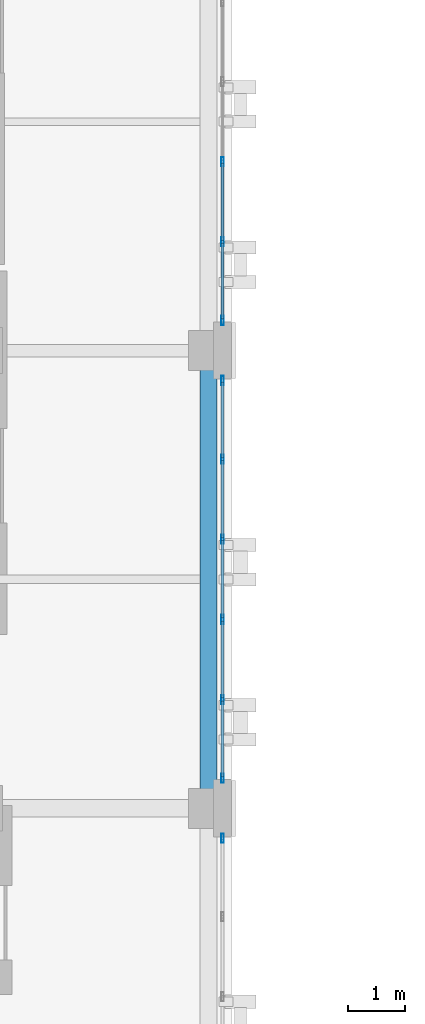
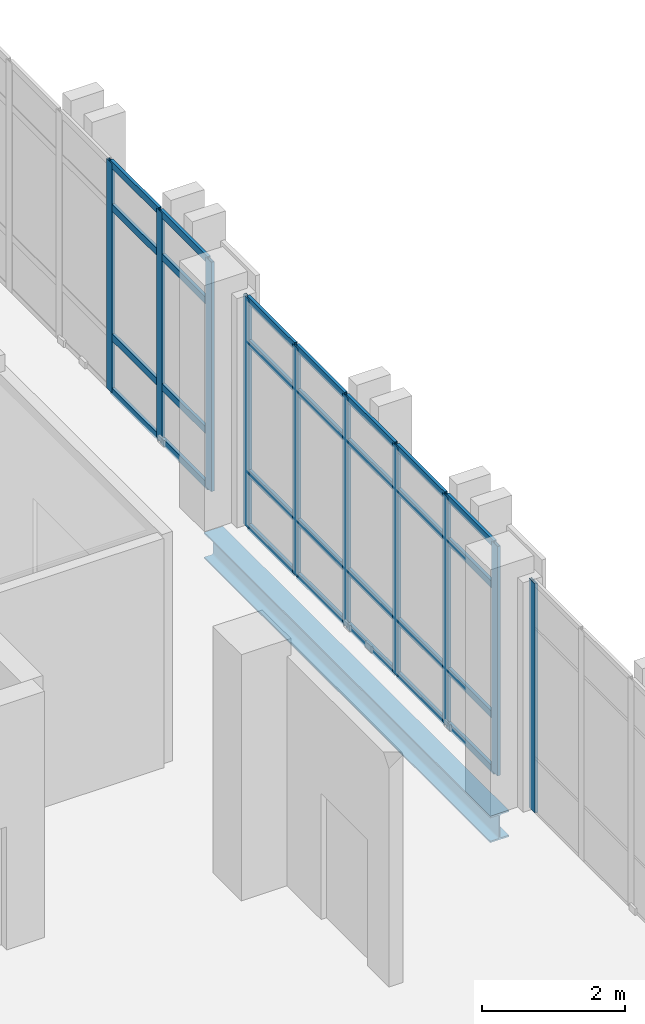
# One storey, part 31 of 193: 38 members, 1 beam, 3 elements without a shape of their own.
"""IFC4 building model written with IfcOpenShell, lengths in metres."""

from ifc_helpers import new_model, si_unit, direction, frame, origin, origin_2d, place, context, subcontext, project, spatial, hollow_rectangle, i_section, extrude, material, layer, layer_set, material_profile, profile_set, type_object, element, aggregate, save


model = new_model("IFC4")

# Units and contexts
model_context = context("Model", 3, precision=1e-05, world=origin(), true_north=direction((0.0, 1.0)))
body_context = subcontext(model_context, "Body", "Model", "MODEL_VIEW")
ifc_project = project(units=[si_unit("LENGTHUNIT", "METRE"), si_unit("AREAUNIT", "SQUARE_METRE"), si_unit("VOLUMEUNIT", "CUBIC_METRE"), si_unit("PLANEANGLEUNIT", "RADIAN"), si_unit("MASSUNIT", "GRAM", prefix="KILO")], contexts=[model_context])

# Site, building, storey
site_placement = place(None, origin())
site = spatial("IfcSite", under=ifc_project, at=site_placement, CompositionType="ELEMENT")
building_placement = place(site_placement, origin())
building = spatial("IfcBuilding", under=site, at=building_placement, Name="Qalavern Law Courts", CompositionType="ELEMENT")
storey_placement = place(building_placement, frame((0.0, 0.0, 10.199951171875)))
storey = spatial("IfcBuildingStorey", under=building, at=storey_placement, Name="L02", CompositionType="ELEMENT", Elevation=10.199951171875)

# Curtain wall, member
ifc_material_1 = material(Name="Anodised aluminium and insulated glazing", Category="aluminium")
ifc_layer = layer(ifc_material_1, 0.172119140625)
ifc_layer_set = layer_set([ifc_layer], Name="Anodised aluminium and insulated glazing")
curtain_wall_type = type_object("IfcCurtainWallType", Name="ENV-CW-COURT", PredefinedType="USERDEFINED", material=ifc_layer_set)
curtain_wall_1_placement = place(storey_placement, origin())
curtain_wall_1 = element("IfcCurtainWall", 1, at=curtain_wall_1_placement, inside=storey, type_object=curtain_wall_type, Name="V3 unitised curtain wall L02 east 1", ObjectType="UNITISED CURTAIN WALL", PredefinedType="USERDEFINED")
ifc_material_2 = material(Name="Anodised aluminium", Category="aluminium")
ifc_material_profile_1 = material_profile(ifc_material_2, hollow_rectangle(XDim=0.048095703125, YDim=0.159912109375, WallThickness=0.00390625, at=origin_2d()), Name="ALU MULLION 48x160")
ifc_profile_set_1 = profile_set([ifc_material_profile_1], Name="Anodised aluminium")
member_type_1 = type_object("IfcMemberType", Name="ENV-CWM-48x160", PredefinedType="MULLION", material=ifc_profile_set_1)
member_1_placement = place(storey_placement, frame((18.64501953125, 48.8759765625, 0.0), z_axis=(0.0, 0.0, 1.0), x_axis=(-1.0, 0.0, 0.0)))
member_1 = element("IfcMember", 2, at=member_1_placement, type_object=member_type_1, Name="CW-03 mullion 6", PredefinedType="MULLION", context=body_context, shape_type="SweptSolid", body=[
    extrude(hollow_rectangle(XDim=0.048095703125, YDim=0.159912109375, WallThickness=0.00390625, at=origin_2d()), origin(), (0.0, 0.0, 1.0), 3.9150390625),
])
aggregate(curtain_wall_1, [member_1])

# Curtain wall, members
curtain_wall_2_placement = place(storey_placement, origin())
curtain_wall_2 = element("IfcCurtainWall", 3, at=curtain_wall_2_placement, inside=storey, type_object=curtain_wall_type, Name="V3 unitised curtain wall L02 east 2", ObjectType="UNITISED CURTAIN WALL", PredefinedType="USERDEFINED")
member_2_placement = place(storey_placement, frame((18.64501953125, 49.924072265625, 0.0), z_axis=(0.0, 0.0, 1.0), x_axis=(-1.0, 0.0, 0.0)))
member_2 = element("IfcMember", 4, at=member_2_placement, type_object=member_type_1, Name="CW-03 mullion 1", PredefinedType="MULLION", context=body_context, shape_type="SweptSolid", body=[
    extrude(hollow_rectangle(XDim=0.048095703125, YDim=0.159912109375, WallThickness=0.00390625, at=origin_2d()), origin(), (0.0, 0.0, 1.0), 3.9150390625),
])
member_3_placement = place(storey_placement, frame((18.64501953125, 51.300048828125, 0.0), z_axis=(0.0, 0.0, 1.0), x_axis=(-1.0, 0.0, 0.0)))
member_3 = element("IfcMember", 5, at=member_3_placement, type_object=member_type_1, Name="CW-03 mullion 2", PredefinedType="MULLION", context=body_context, shape_type="SweptSolid", body=[
    extrude(hollow_rectangle(XDim=0.048095703125, YDim=0.159912109375, WallThickness=0.00390625, at=origin_2d()), origin(), (0.0, 0.0, 1.0), 3.9150390625),
])
member_4_placement = place(storey_placement, frame((18.64501953125, 52.699951171875, 0.0), z_axis=(0.0, 0.0, 1.0), x_axis=(-1.0, 0.0, 0.0)))
member_4 = element("IfcMember", 6, at=member_4_placement, type_object=member_type_1, Name="CW-03 mullion 3", PredefinedType="MULLION", context=body_context, shape_type="SweptSolid", body=[
    extrude(hollow_rectangle(XDim=0.048095703125, YDim=0.159912109375, WallThickness=0.00390625, at=origin_2d()), origin(), (0.0, 0.0, 1.0), 3.9150390625),
])
member_5_placement = place(storey_placement, frame((18.64501953125, 54.10009765625, 0.0), z_axis=(0.0, 0.0, 1.0), x_axis=(-1.0, 0.0, 0.0)))
member_5 = element("IfcMember", 7, at=member_5_placement, type_object=member_type_1, Name="CW-03 mullion 4", PredefinedType="MULLION", context=body_context, shape_type="SweptSolid", body=[
    extrude(hollow_rectangle(XDim=0.048095703125, YDim=0.159912109375, WallThickness=0.00390625, at=origin_2d()), origin(), (0.0, 0.0, 1.0), 3.9150390625),
])
member_6_placement = place(storey_placement, frame((18.64501953125, 55.5, 0.0), z_axis=(0.0, 0.0, 1.0), x_axis=(-1.0, 0.0, 0.0)))
member_6 = element("IfcMember", 8, at=member_6_placement, type_object=member_type_1, Name="CW-03 mullion 5", PredefinedType="MULLION", context=body_context, shape_type="SweptSolid", body=[
    extrude(hollow_rectangle(XDim=0.048095703125, YDim=0.159912109375, WallThickness=0.00390625, at=origin_2d()), origin(), (0.0, 0.0, 1.0), 3.9150390625),
])
member_7_placement = place(storey_placement, frame((18.64501953125, 56.8759765625, 0.0), z_axis=(0.0, 0.0, 1.0), x_axis=(-1.0, 0.0, 0.0)))
member_7 = element("IfcMember", 9, at=member_7_placement, type_object=member_type_1, Name="CW-03 mullion 6", PredefinedType="MULLION", context=body_context, shape_type="SweptSolid", body=[
    extrude(hollow_rectangle(XDim=0.048095703125, YDim=0.159912109375, WallThickness=0.00390625, at=origin_2d()), origin(), (0.0, 0.0, 1.0), 3.9150390625),
])

curtain_wall_3_placement = place(storey_placement, origin())
curtain_wall_3 = element("IfcCurtainWall", 10, at=curtain_wall_3_placement, inside=storey, type_object=curtain_wall_type, Name="V3 unitised curtain wall L02 east 3", ObjectType="UNITISED CURTAIN WALL", PredefinedType="USERDEFINED")
member_8_placement = place(storey_placement, frame((18.64501953125, 57.924072265625, 0.0), z_axis=(0.0, 0.0, 1.0), x_axis=(-1.0, 0.0, 0.0)))
member_8 = element("IfcMember", 11, at=member_8_placement, type_object=member_type_1, Name="CW-03 mullion 1", PredefinedType="MULLION", context=body_context, shape_type="SweptSolid", body=[
    extrude(hollow_rectangle(XDim=0.048095703125, YDim=0.159912109375, WallThickness=0.00390625, at=origin_2d()), origin(), (0.0, 0.0, 1.0), 3.9150390625),
])
member_9_placement = place(storey_placement, frame((18.64501953125, 59.300048828125, 0.0), z_axis=(0.0, 0.0, 1.0), x_axis=(-1.0, 0.0, 0.0)))
member_9 = element("IfcMember", 12, at=member_9_placement, type_object=member_type_1, Name="CW-03 mullion 2", PredefinedType="MULLION", context=body_context, shape_type="SweptSolid", body=[
    extrude(hollow_rectangle(XDim=0.048095703125, YDim=0.159912109375, WallThickness=0.00390625, at=origin_2d()), origin(), (0.0, 0.0, 1.0), 3.9150390625),
])
member_10_placement = place(storey_placement, frame((18.64501953125, 60.699951171875, 0.0), z_axis=(0.0, 0.0, 1.0), x_axis=(-1.0, 0.0, 0.0)))
member_10 = element("IfcMember", 13, at=member_10_placement, type_object=member_type_1, Name="CW-03 mullion 3", PredefinedType="MULLION", context=body_context, shape_type="SweptSolid", body=[
    extrude(hollow_rectangle(XDim=0.048095703125, YDim=0.159912109375, WallThickness=0.00390625, at=origin_2d()), origin(), (0.0, 0.0, 1.0), 3.9150390625),
])

# Member
ifc_material_profile_2 = material_profile(ifc_material_2, hollow_rectangle(XDim=0.048095703125, YDim=0.1201171875, WallThickness=0.00390625, at=origin_2d()), Name="ALU TRANSOM 48x120")
ifc_profile_set_2 = profile_set([ifc_material_profile_2], Name="Anodised aluminium")
member_type_2 = type_object("IfcMemberType", Name="ENV-CWT-48x120", PredefinedType="USERDEFINED", material=ifc_profile_set_2)
member_11_placement = place(storey_placement, frame((18.64501953125, 49.947998046875, 0.024169921875), z_axis=(0.0, 1.0, 0.0), x_axis=(-1.0, 0.0, 0.0)))
member_11 = element("IfcMember", 14, at=member_11_placement, type_object=member_type_2, Name="CW-03 transom 1.1", ObjectType="TRANSOM", PredefinedType="USERDEFINED", context=body_context, shape_type="SweptSolid", body=[
    extrude(hollow_rectangle(XDim=0.048095703125, YDim=0.1201171875, WallThickness=0.00390625, at=origin_2d()), origin(), (0.0, 0.0, 1.0), 1.327880859375),
])

member_12_placement = place(storey_placement, frame((18.64501953125, 49.947998046875, 0.949951171875), z_axis=(0.0, 1.0, 0.0), x_axis=(-1.0, 0.0, 0.0)))
member_12 = element("IfcMember", 15, at=member_12_placement, type_object=member_type_2, Name="CW-03 transom 1.2", ObjectType="TRANSOM", PredefinedType="USERDEFINED", context=body_context, shape_type="SweptSolid", body=[
    extrude(hollow_rectangle(XDim=0.048095703125, YDim=0.1201171875, WallThickness=0.00390625, at=origin_2d()), origin(), (0.0, 0.0, 1.0), 1.327880859375),
])

member_13_placement = place(storey_placement, frame((18.64501953125, 49.947998046875, 3.1650390625), z_axis=(0.0, 1.0, 0.0), x_axis=(-1.0, 0.0, 0.0)))
member_13 = element("IfcMember", 16, at=member_13_placement, type_object=member_type_2, Name="CW-03 transom 1.3", ObjectType="TRANSOM", PredefinedType="USERDEFINED", context=body_context, shape_type="SweptSolid", body=[
    extrude(hollow_rectangle(XDim=0.048095703125, YDim=0.1201171875, WallThickness=0.00390625, at=origin_2d()), origin(), (0.0, 0.0, 1.0), 1.327880859375),
])

member_14_placement = place(storey_placement, frame((18.64501953125, 49.947998046875, 3.89111328125), z_axis=(0.0, 1.0, 0.0), x_axis=(-1.0, 0.0, 0.0)))
member_14 = element("IfcMember", 17, at=member_14_placement, type_object=member_type_2, Name="CW-03 transom 1.4", ObjectType="TRANSOM", PredefinedType="USERDEFINED", context=body_context, shape_type="SweptSolid", body=[
    extrude(hollow_rectangle(XDim=0.048095703125, YDim=0.1201171875, WallThickness=0.00390625, at=origin_2d()), origin(), (0.0, 0.0, 1.0), 1.327880859375),
])

member_15_placement = place(storey_placement, frame((18.64501953125, 51.323974609375, 0.024169921875), z_axis=(0.0, 1.0, 0.0), x_axis=(-1.0, 0.0, 0.0)))
member_15 = element("IfcMember", 18, at=member_15_placement, type_object=member_type_2, Name="CW-03 transom 2.1", ObjectType="TRANSOM", PredefinedType="USERDEFINED", context=body_context, shape_type="SweptSolid", body=[
    extrude(hollow_rectangle(XDim=0.048095703125, YDim=0.1201171875, WallThickness=0.00390625, at=origin_2d()), origin(), (0.0, 0.0, 1.0), 1.35205078125),
])

member_16_placement = place(storey_placement, frame((18.64501953125, 51.323974609375, 0.949951171875), z_axis=(0.0, 1.0, 0.0), x_axis=(-1.0, 0.0, 0.0)))
member_16 = element("IfcMember", 19, at=member_16_placement, type_object=member_type_2, Name="CW-03 transom 2.2", ObjectType="TRANSOM", PredefinedType="USERDEFINED", context=body_context, shape_type="SweptSolid", body=[
    extrude(hollow_rectangle(XDim=0.048095703125, YDim=0.1201171875, WallThickness=0.00390625, at=origin_2d()), origin(), (0.0, 0.0, 1.0), 1.35205078125),
])

member_17_placement = place(storey_placement, frame((18.64501953125, 51.323974609375, 3.1650390625), z_axis=(0.0, 1.0, 0.0), x_axis=(-1.0, 0.0, 0.0)))
member_17 = element("IfcMember", 20, at=member_17_placement, type_object=member_type_2, Name="CW-03 transom 2.3", ObjectType="TRANSOM", PredefinedType="USERDEFINED", context=body_context, shape_type="SweptSolid", body=[
    extrude(hollow_rectangle(XDim=0.048095703125, YDim=0.1201171875, WallThickness=0.00390625, at=origin_2d()), origin(), (0.0, 0.0, 1.0), 1.35205078125),
])

member_18_placement = place(storey_placement, frame((18.64501953125, 51.323974609375, 3.89111328125), z_axis=(0.0, 1.0, 0.0), x_axis=(-1.0, 0.0, 0.0)))
member_18 = element("IfcMember", 21, at=member_18_placement, type_object=member_type_2, Name="CW-03 transom 2.4", ObjectType="TRANSOM", PredefinedType="USERDEFINED", context=body_context, shape_type="SweptSolid", body=[
    extrude(hollow_rectangle(XDim=0.048095703125, YDim=0.1201171875, WallThickness=0.00390625, at=origin_2d()), origin(), (0.0, 0.0, 1.0), 1.35205078125),
])

member_19_placement = place(storey_placement, frame((18.64501953125, 52.72412109375, 0.024169921875), z_axis=(0.0, 1.0, 0.0), x_axis=(-1.0, 0.0, 0.0)))
member_19 = element("IfcMember", 22, at=member_19_placement, type_object=member_type_2, Name="CW-03 transom 3.1", ObjectType="TRANSOM", PredefinedType="USERDEFINED", context=body_context, shape_type="SweptSolid", body=[
    extrude(hollow_rectangle(XDim=0.048095703125, YDim=0.1201171875, WallThickness=0.00390625, at=origin_2d()), origin(), (0.0, 0.0, 1.0), 1.351806640625),
])

member_20_placement = place(storey_placement, frame((18.64501953125, 52.72412109375, 0.949951171875), z_axis=(0.0, 1.0, 0.0), x_axis=(-1.0, 0.0, 0.0)))
member_20 = element("IfcMember", 23, at=member_20_placement, type_object=member_type_2, Name="CW-03 transom 3.2", ObjectType="TRANSOM", PredefinedType="USERDEFINED", context=body_context, shape_type="SweptSolid", body=[
    extrude(hollow_rectangle(XDim=0.048095703125, YDim=0.1201171875, WallThickness=0.00390625, at=origin_2d()), origin(), (0.0, 0.0, 1.0), 1.351806640625),
])

member_21_placement = place(storey_placement, frame((18.64501953125, 52.72412109375, 3.1650390625), z_axis=(0.0, 1.0, 0.0), x_axis=(-1.0, 0.0, 0.0)))
member_21 = element("IfcMember", 24, at=member_21_placement, type_object=member_type_2, Name="CW-03 transom 3.3", ObjectType="TRANSOM", PredefinedType="USERDEFINED", context=body_context, shape_type="SweptSolid", body=[
    extrude(hollow_rectangle(XDim=0.048095703125, YDim=0.1201171875, WallThickness=0.00390625, at=origin_2d()), origin(), (0.0, 0.0, 1.0), 1.351806640625),
])

member_22_placement = place(storey_placement, frame((18.64501953125, 52.72412109375, 3.89111328125), z_axis=(0.0, 1.0, 0.0), x_axis=(-1.0, 0.0, 0.0)))
member_22 = element("IfcMember", 25, at=member_22_placement, type_object=member_type_2, Name="CW-03 transom 3.4", ObjectType="TRANSOM", PredefinedType="USERDEFINED", context=body_context, shape_type="SweptSolid", body=[
    extrude(hollow_rectangle(XDim=0.048095703125, YDim=0.1201171875, WallThickness=0.00390625, at=origin_2d()), origin(), (0.0, 0.0, 1.0), 1.351806640625),
])

member_23_placement = place(storey_placement, frame((18.64501953125, 54.1240234375, 0.024169921875), z_axis=(0.0, 1.0, 0.0), x_axis=(-1.0, 0.0, 0.0)))
member_23 = element("IfcMember", 26, at=member_23_placement, type_object=member_type_2, Name="CW-03 transom 4.1", ObjectType="TRANSOM", PredefinedType="USERDEFINED", context=body_context, shape_type="SweptSolid", body=[
    extrude(hollow_rectangle(XDim=0.048095703125, YDim=0.1201171875, WallThickness=0.00390625, at=origin_2d()), origin(), (0.0, 0.0, 1.0), 1.35205078125),
])

member_24_placement = place(storey_placement, frame((18.64501953125, 54.1240234375, 0.949951171875), z_axis=(0.0, 1.0, 0.0), x_axis=(-1.0, 0.0, 0.0)))
member_24 = element("IfcMember", 27, at=member_24_placement, type_object=member_type_2, Name="CW-03 transom 4.2", ObjectType="TRANSOM", PredefinedType="USERDEFINED", context=body_context, shape_type="SweptSolid", body=[
    extrude(hollow_rectangle(XDim=0.048095703125, YDim=0.1201171875, WallThickness=0.00390625, at=origin_2d()), origin(), (0.0, 0.0, 1.0), 1.35205078125),
])

member_25_placement = place(storey_placement, frame((18.64501953125, 54.1240234375, 3.1650390625), z_axis=(0.0, 1.0, 0.0), x_axis=(-1.0, 0.0, 0.0)))
member_25 = element("IfcMember", 28, at=member_25_placement, type_object=member_type_2, Name="CW-03 transom 4.3", ObjectType="TRANSOM", PredefinedType="USERDEFINED", context=body_context, shape_type="SweptSolid", body=[
    extrude(hollow_rectangle(XDim=0.048095703125, YDim=0.1201171875, WallThickness=0.00390625, at=origin_2d()), origin(), (0.0, 0.0, 1.0), 1.35205078125),
])

member_26_placement = place(storey_placement, frame((18.64501953125, 54.1240234375, 3.89111328125), z_axis=(0.0, 1.0, 0.0), x_axis=(-1.0, 0.0, 0.0)))
member_26 = element("IfcMember", 29, at=member_26_placement, type_object=member_type_2, Name="CW-03 transom 4.4", ObjectType="TRANSOM", PredefinedType="USERDEFINED", context=body_context, shape_type="SweptSolid", body=[
    extrude(hollow_rectangle(XDim=0.048095703125, YDim=0.1201171875, WallThickness=0.00390625, at=origin_2d()), origin(), (0.0, 0.0, 1.0), 1.35205078125),
])

member_27_placement = place(storey_placement, frame((18.64501953125, 55.52392578125, 0.024169921875), z_axis=(0.0, 1.0, 0.0), x_axis=(-1.0, 0.0, 0.0)))
member_27 = element("IfcMember", 30, at=member_27_placement, type_object=member_type_2, Name="CW-03 transom 5.1", ObjectType="TRANSOM", PredefinedType="USERDEFINED", context=body_context, shape_type="SweptSolid", body=[
    extrude(hollow_rectangle(XDim=0.048095703125, YDim=0.1201171875, WallThickness=0.00390625, at=origin_2d()), origin(), (0.0, 0.0, 1.0), 1.328125),
])

member_28_placement = place(storey_placement, frame((18.64501953125, 55.52392578125, 0.949951171875), z_axis=(0.0, 1.0, 0.0), x_axis=(-1.0, 0.0, 0.0)))
member_28 = element("IfcMember", 31, at=member_28_placement, type_object=member_type_2, Name="CW-03 transom 5.2", ObjectType="TRANSOM", PredefinedType="USERDEFINED", context=body_context, shape_type="SweptSolid", body=[
    extrude(hollow_rectangle(XDim=0.048095703125, YDim=0.1201171875, WallThickness=0.00390625, at=origin_2d()), origin(), (0.0, 0.0, 1.0), 1.328125),
])

member_29_placement = place(storey_placement, frame((18.64501953125, 55.52392578125, 3.1650390625), z_axis=(0.0, 1.0, 0.0), x_axis=(-1.0, 0.0, 0.0)))
member_29 = element("IfcMember", 32, at=member_29_placement, type_object=member_type_2, Name="CW-03 transom 5.3", ObjectType="TRANSOM", PredefinedType="USERDEFINED", context=body_context, shape_type="SweptSolid", body=[
    extrude(hollow_rectangle(XDim=0.048095703125, YDim=0.1201171875, WallThickness=0.00390625, at=origin_2d()), origin(), (0.0, 0.0, 1.0), 1.328125),
])

member_30_placement = place(storey_placement, frame((18.64501953125, 55.52392578125, 3.89111328125), z_axis=(0.0, 1.0, 0.0), x_axis=(-1.0, 0.0, 0.0)))
member_30 = element("IfcMember", 33, at=member_30_placement, type_object=member_type_2, Name="CW-03 transom 5.4", ObjectType="TRANSOM", PredefinedType="USERDEFINED", context=body_context, shape_type="SweptSolid", body=[
    extrude(hollow_rectangle(XDim=0.048095703125, YDim=0.1201171875, WallThickness=0.00390625, at=origin_2d()), origin(), (0.0, 0.0, 1.0), 1.328125),
])

aggregate(curtain_wall_2, [member_2, member_3, member_4, member_5, member_6, member_7, member_11, member_12, member_13, member_14, member_15, member_16, member_17, member_18, member_19, member_20, member_21, member_22, member_23, member_24, member_25, member_26, member_27, member_28, member_29, member_30])

member_31_placement = place(storey_placement, frame((18.64501953125, 57.947998046875, 0.024169921875), z_axis=(0.0, 1.0, 0.0), x_axis=(-1.0, 0.0, 0.0)))
member_31 = element("IfcMember", 34, at=member_31_placement, type_object=member_type_2, Name="CW-03 transom 1.1", ObjectType="TRANSOM", PredefinedType="USERDEFINED", context=body_context, shape_type="SweptSolid", body=[
    extrude(hollow_rectangle(XDim=0.048095703125, YDim=0.1201171875, WallThickness=0.00390625, at=origin_2d()), origin(), (0.0, 0.0, 1.0), 1.327880859375),
])

member_32_placement = place(storey_placement, frame((18.64501953125, 57.947998046875, 0.949951171875), z_axis=(0.0, 1.0, 0.0), x_axis=(-1.0, 0.0, 0.0)))
member_32 = element("IfcMember", 35, at=member_32_placement, type_object=member_type_2, Name="CW-03 transom 1.2", ObjectType="TRANSOM", PredefinedType="USERDEFINED", context=body_context, shape_type="SweptSolid", body=[
    extrude(hollow_rectangle(XDim=0.048095703125, YDim=0.1201171875, WallThickness=0.00390625, at=origin_2d()), origin(), (0.0, 0.0, 1.0), 1.327880859375),
])

member_33_placement = place(storey_placement, frame((18.64501953125, 57.947998046875, 3.1650390625), z_axis=(0.0, 1.0, 0.0), x_axis=(-1.0, 0.0, 0.0)))
member_33 = element("IfcMember", 36, at=member_33_placement, type_object=member_type_2, Name="CW-03 transom 1.3", ObjectType="TRANSOM", PredefinedType="USERDEFINED", context=body_context, shape_type="SweptSolid", body=[
    extrude(hollow_rectangle(XDim=0.048095703125, YDim=0.1201171875, WallThickness=0.00390625, at=origin_2d()), origin(), (0.0, 0.0, 1.0), 1.327880859375),
])

member_34_placement = place(storey_placement, frame((18.64501953125, 57.947998046875, 3.89111328125), z_axis=(0.0, 1.0, 0.0), x_axis=(-1.0, 0.0, 0.0)))
member_34 = element("IfcMember", 37, at=member_34_placement, type_object=member_type_2, Name="CW-03 transom 1.4", ObjectType="TRANSOM", PredefinedType="USERDEFINED", context=body_context, shape_type="SweptSolid", body=[
    extrude(hollow_rectangle(XDim=0.048095703125, YDim=0.1201171875, WallThickness=0.00390625, at=origin_2d()), origin(), (0.0, 0.0, 1.0), 1.327880859375),
])

member_35_placement = place(storey_placement, frame((18.64501953125, 59.323974609375, 0.024169921875), z_axis=(0.0, 1.0, 0.0), x_axis=(-1.0, 0.0, 0.0)))
member_35 = element("IfcMember", 38, at=member_35_placement, type_object=member_type_2, Name="CW-03 transom 2.1", ObjectType="TRANSOM", PredefinedType="USERDEFINED", context=body_context, shape_type="SweptSolid", body=[
    extrude(hollow_rectangle(XDim=0.048095703125, YDim=0.1201171875, WallThickness=0.00390625, at=origin_2d()), origin(), (0.0, 0.0, 1.0), 1.35205078125),
])

member_36_placement = place(storey_placement, frame((18.64501953125, 59.323974609375, 0.949951171875), z_axis=(0.0, 1.0, 0.0), x_axis=(-1.0, 0.0, 0.0)))
member_36 = element("IfcMember", 39, at=member_36_placement, type_object=member_type_2, Name="CW-03 transom 2.2", ObjectType="TRANSOM", PredefinedType="USERDEFINED", context=body_context, shape_type="SweptSolid", body=[
    extrude(hollow_rectangle(XDim=0.048095703125, YDim=0.1201171875, WallThickness=0.00390625, at=origin_2d()), origin(), (0.0, 0.0, 1.0), 1.35205078125),
])

member_37_placement = place(storey_placement, frame((18.64501953125, 59.323974609375, 3.1650390625), z_axis=(0.0, 1.0, 0.0), x_axis=(-1.0, 0.0, 0.0)))
member_37 = element("IfcMember", 40, at=member_37_placement, type_object=member_type_2, Name="CW-03 transom 2.3", ObjectType="TRANSOM", PredefinedType="USERDEFINED", context=body_context, shape_type="SweptSolid", body=[
    extrude(hollow_rectangle(XDim=0.048095703125, YDim=0.1201171875, WallThickness=0.00390625, at=origin_2d()), origin(), (0.0, 0.0, 1.0), 1.35205078125),
])

member_38_placement = place(storey_placement, frame((18.64501953125, 59.323974609375, 3.89111328125), z_axis=(0.0, 1.0, 0.0), x_axis=(-1.0, 0.0, 0.0)))
member_38 = element("IfcMember", 41, at=member_38_placement, type_object=member_type_2, Name="CW-03 transom 2.4", ObjectType="TRANSOM", PredefinedType="USERDEFINED", context=body_context, shape_type="SweptSolid", body=[
    extrude(hollow_rectangle(XDim=0.048095703125, YDim=0.1201171875, WallThickness=0.00390625, at=origin_2d()), origin(), (0.0, 0.0, 1.0), 1.35205078125),
])

aggregate(curtain_wall_3, [member_8, member_9, member_10, member_31, member_32, member_33, member_34, member_35, member_36, member_37, member_38])

# Beam
ifc_material_3 = material(Name="Steel S355", Category="steel")
ifc_material_profile_3 = material_profile(ifc_material_3, i_section(OverallWidth=0.300048828125, OverallDepth=0.449951171875, WebThickness=0.013916015625, FlangeThickness=0.02587890625, FilletRadius=0.027099609375, at=origin_2d()), Name="HEB 450")
ifc_profile_set_3 = profile_set([ifc_material_profile_3], Name="Steel S355")
beam_type = type_object("IfcBeamType", Name="STR-SP-HEB450", PredefinedType="SPANDREL", material=ifc_profile_set_3)
beam_placement = place(storey_placement, frame((18.39990234375, 49.39990234375, -0.514892578125), z_axis=(0.0, 1.0, 0.0), x_axis=(-1.0, 0.0, 0.0)))
element("IfcBeam", 42, at=beam_placement, inside=storey, type_object=beam_type, Name="V3 Y-beam 3-2 L02", PredefinedType="SPANDREL", context=body_context, shape_type="SweptSolid", body=[
    extrude(i_section(OverallWidth=0.300048828125, OverallDepth=0.449951171875, WebThickness=0.013916015625, FlangeThickness=0.02587890625, FilletRadius=0.027099609375, at=origin_2d()), origin(), (0.0, 0.0, 1.0), 8.0),
])

save(model, "model.ifc")
